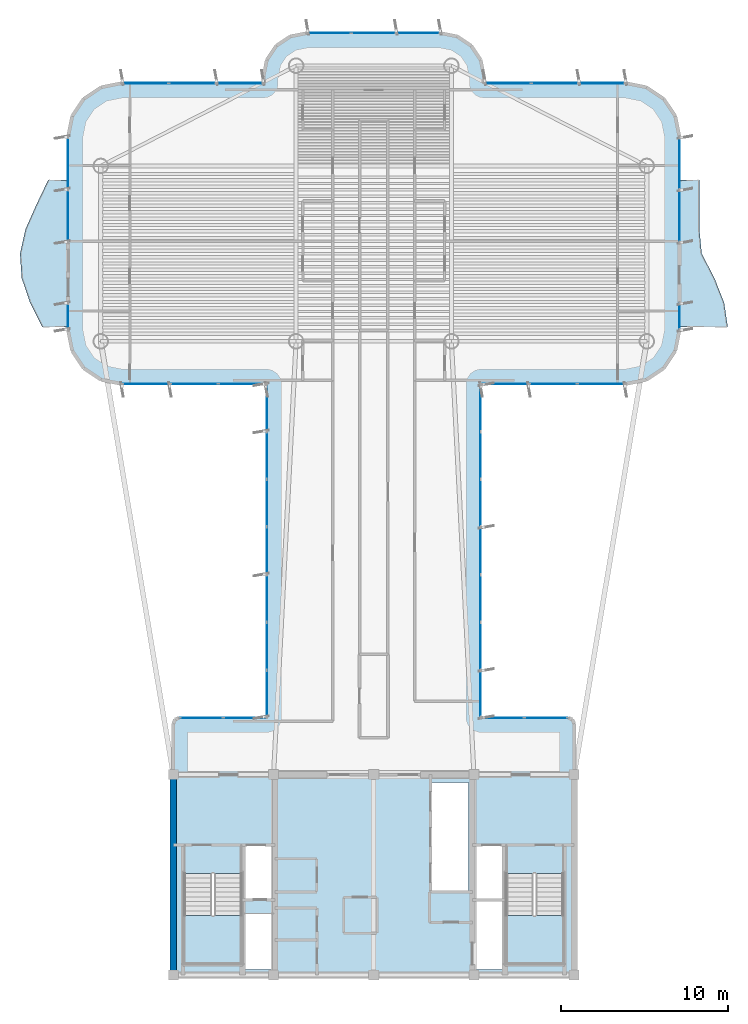
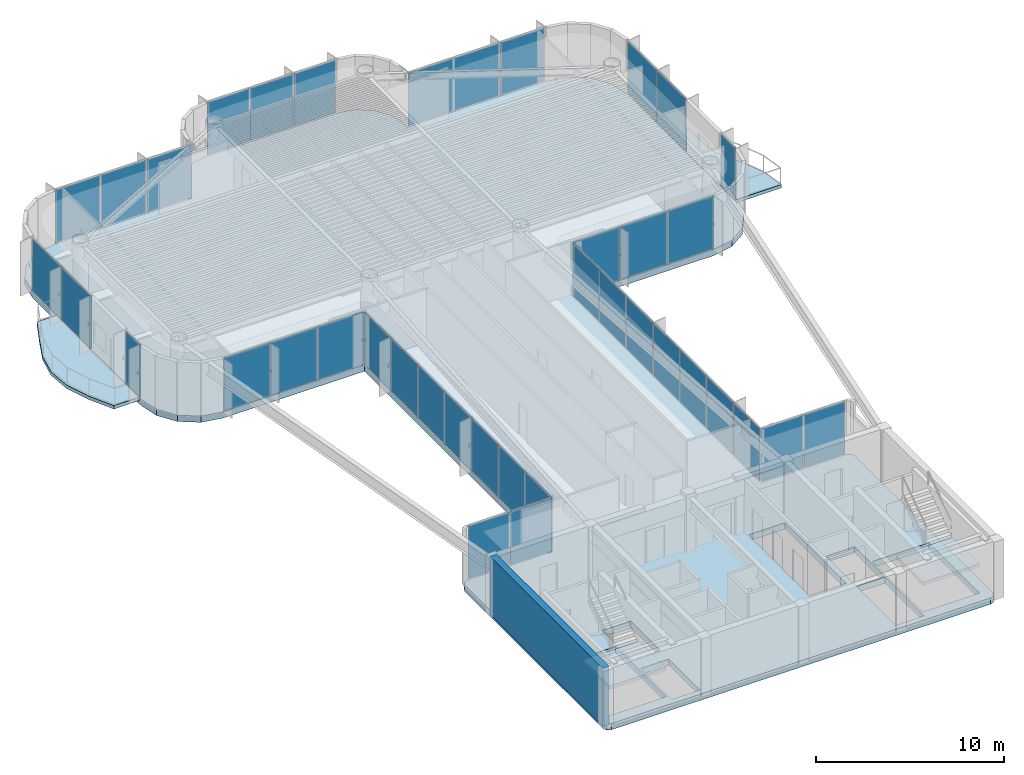
# One storey, part 9 of 16: 39 plates, 5 slabs, 1 wall, 15 elements without a shape of their own.
"""IFC4 building model written with IfcOpenShell, lengths in metres."""

from ifc_helpers import new_model, si_unit, direction, frame, frame_2d, origin, origin_2d, place, context, subcontext, project, spatial, polyline, rectangle, outline, extrude, source, transform, mapped, material, layer, layer_set, type_object, element, aggregate, save


model = new_model("IFC4")

# Units and contexts
model_context = context("Model", 3, precision=1e-05, world=origin(), true_north=direction((0.0, 1.0)))
body_context = subcontext(model_context, "Body", "Model", "MODEL_VIEW")
ifc_project = project(units=[si_unit("LENGTHUNIT", "METRE"), si_unit("AREAUNIT", "SQUARE_METRE"), si_unit("VOLUMEUNIT", "CUBIC_METRE"), si_unit("PLANEANGLEUNIT", "RADIAN"), si_unit("MASSUNIT", "GRAM", prefix="KILO")], contexts=[model_context])

# Site, building, storey
site_placement = place(None, origin())
site = spatial("IfcSite", under=ifc_project, at=site_placement, CompositionType="ELEMENT")
building_placement = place(site_placement, origin())
building = spatial("IfcBuilding", under=site, at=building_placement, Name="Brelvock Crest Care Tower", CompositionType="ELEMENT")
storey_placement = place(building_placement, frame((0.0, 0.0, 223.02001953125)))
storey = spatial("IfcBuildingStorey", under=building, at=storey_placement, Name="L56", CompositionType="ELEMENT", Elevation=223.02001953125)

# Slabs
ifc_material_1 = material(Name="Concrete N50 (50 MPa)", Category="concrete")
ifc_layer_1 = layer(ifc_material_1, 0.407958984375, Name="SLB-FL5")
ifc_layer_set_1 = layer_set([ifc_layer_1], Name="Concrete N50 (50 MPa)")
slab_type_1 = type_object("IfcSlabType", Name="SLB-FL5", PredefinedType="FLOOR", material=ifc_layer_set_1)
slab_1_placement = place(storey_placement, frame((0.0, 0.0, -0.407958984375)))
element("IfcSlab", 1, at=slab_1_placement, inside=storey, type_object=slab_type_1, Name="L56 Main Structural Slab", PredefinedType="FLOOR", context=body_context, shape_type="SweptSolid", body=[
    extrude(outline(polyline([(47.64990234375, 21.39990234375), (42.39990234375, 21.39990234375), (42.39990234375, 41.39990234375), (51.10009765625, 41.39990234375), (52.32470703125, 41.6435546875), (53.36279296875, 42.33740234375), (54.056396484375, 43.37548828125), (54.300048828125, 44.60009765625), (54.300048828125, 56.199951171875), (54.056396484375, 57.424560546875), (53.36279296875, 58.462646484375), (52.32470703125, 59.156494140625), (51.10009765625, 59.39990234375), (42.60009765625, 59.39990234375), (42.60009765625, 59.800048828125), (42.402099609375, 60.794921875), (41.83837890625, 61.638427734375), (40.9951171875, 62.2021484375), (40.0, 62.39990234375), (32.0, 62.39990234375), (31.0048828125, 62.2021484375), (30.16162109375, 61.638427734375), (29.597900390625, 60.794921875), (29.39990234375, 59.800048828125), (29.39990234375, 59.39990234375), (20.89990234375, 59.39990234375), (19.67529296875, 59.156494140625), (18.63720703125, 58.462646484375), (17.943603515625, 57.424560546875), (17.699951171875, 56.199951171875), (17.699951171875, 44.60009765625), (17.943603515625, 43.37548828125), (18.63720703125, 42.33740234375), (19.67529296875, 41.6435546875), (20.89990234375, 41.39990234375), (29.60009765625, 41.39990234375), (29.60009765625, 21.39990234375), (24.35009765625, 21.39990234375), (24.1025390625, 21.297607421875), (24.0, 21.050048828125), (24.0, 6.35009765625), (24.1025390625, 6.1025390625), (24.35009765625, 6.0), (47.64990234375, 6.0), (47.8974609375, 6.1025390625), (48.0, 6.35009765625), (48.0, 21.050048828125), (47.8974609375, 21.297607421875), (47.64990234375, 21.39990234375)]), holes=[polyline([(28.239990234375, 10.580078125), (29.97998046875, 10.580078125), (29.97998046875, 13.739990234375), (28.239990234375, 13.739990234375), (28.239990234375, 10.580078125)]), polyline([(42.02001953125, 10.580078125), (43.760009765625, 10.580078125), (43.760009765625, 13.739990234375), (42.02001953125, 13.739990234375), (42.02001953125, 10.580078125)]), polyline([(28.239990234375, 6.340087890625), (29.97998046875, 6.340087890625), (29.97998046875, 9.64990234375), (28.239990234375, 9.64990234375), (28.239990234375, 6.340087890625)]), polyline([(24.6298828125, 12.080078125), (24.6298828125, 6.699951171875), (28.110107421875, 6.699951171875), (28.110107421875, 12.080078125), (24.6298828125, 12.080078125)]), polyline([(43.889892578125, 12.080078125), (43.889892578125, 6.699951171875), (47.3701171875, 6.699951171875), (47.3701171875, 12.080078125), (43.889892578125, 12.080078125)]), polyline([(42.02001953125, 6.340087890625), (43.760009765625, 6.340087890625), (43.760009765625, 10.5), (42.02001953125, 10.5), (42.02001953125, 6.340087890625)]), polyline([(39.429931640625, 11.030029296875), (41.669921875, 11.030029296875), (41.669921875, 17.52001953125), (39.429931640625, 17.52001953125), (39.429931640625, 11.030029296875)])]), origin(), (0.0, 0.0, 1.0), 0.407958984375),
])
ifc_layer_2 = layer(ifc_material_1, 0.219970703125, Name="SLB-WB1")
ifc_layer_set_2 = layer_set([ifc_layer_2], Name="Concrete N50 (50 MPa)")
slab_type_2 = type_object("IfcSlabType", Name="SLB-WB1", PredefinedType="FLOOR", material=ifc_layer_set_2)
slab_2_placement = place(storey_placement, frame((0.0, 0.0, -0.219970703125)))
element("IfcSlab", 2, at=slab_2_placement, inside=storey, type_object=slab_type_2, Name="L56 W Sinusoidal Wave Balcony Slab", PredefinedType="FLOOR", context=body_context, shape_type="SweptSolid", body=[
    extrude(outline(polyline([(17.699951171875, 53.60009765625), (16.5, 53.60009765625), (15.800537109375, 52.13330078125), (15.146728515625, 50.666748046875), (14.816650390625, 49.199951171875), (14.916748046875, 47.7333984375), (15.414794921875, 46.2666015625), (16.14990234375, 44.800048828125), (17.699951171875, 44.800048828125), (17.699951171875, 53.60009765625)])), origin(), (0.0, 0.0, 1.0), 0.219970703125),
])
slab_3_placement = place(storey_placement, frame((0.0, 0.0, -0.219970703125)))
element("IfcSlab", 3, at=slab_3_placement, inside=storey, type_object=slab_type_2, Name="L56 E Sinusoidal Wave Balcony Slab", PredefinedType="FLOOR", context=body_context, shape_type="SweptSolid", body=[
    extrude(outline(polyline([(54.300048828125, 44.800048828125), (57.199951171875, 44.800048828125), (56.982177734375, 46.2666015625), (56.399169921875, 47.7333984375), (55.638916015625, 49.199951171875), (55.5, 50.666748046875), (55.5, 52.13330078125), (55.5, 53.60009765625), (54.300048828125, 53.60009765625), (54.300048828125, 44.800048828125)])), origin(), (0.0, 0.0, 1.0), 0.219970703125),
])

# Stair, slab
ifc_material_2 = material(Name="Concrete N40 (40 MPa)", Category="concrete")
stair_type = type_object("IfcStairType", Name="ST-CORE1", PredefinedType="HALF_TURN_STAIR", material=ifc_material_2)
stair_1_placement = place(storey_placement, origin())
stair_1 = element("IfcStair", 4, at=stair_1_placement, inside=storey, type_object=stair_type, Name="L56 Fire-Isolated Core Stair ST-1", PredefinedType="HALF_TURN_STAIR")
ifc_layer_3 = layer(ifc_material_2, 0.199951171875, Name="STL-1")
ifc_layer_set_3 = layer_set([ifc_layer_3], Name="Concrete N40 (40 MPa)")
slab_type_3 = type_object("IfcSlabType", Name="STL-1", PredefinedType="LANDING", material=ifc_layer_set_3)
slab_4_placement = place(storey_placement, frame((0.0, 0.0, 1.68994140625)))
slab_4 = element("IfcSlab", 5, at=slab_4_placement, type_object=slab_type_3, Name="ST-1 landing 1", PredefinedType="LANDING", context=body_context, shape_type="SweptSolid", body=[
    extrude(outline(polyline([(24.6298828125, 9.56005859375), (24.6298828125, 6.699951171875), (28.110107421875, 6.699951171875), (28.110107421875, 9.56005859375), (24.6298828125, 9.56005859375)])), origin(), (0.0, 0.0, 1.0), 0.199951171875),
])
aggregate(stair_1, [slab_4])

stair_2_placement = place(storey_placement, origin())
stair_2 = element("IfcStair", 6, at=stair_2_placement, inside=storey, type_object=stair_type, Name="L56 Fire-Isolated Core Stair ST-2", PredefinedType="HALF_TURN_STAIR")
slab_5_placement = place(storey_placement, frame((0.0, 0.0, 1.68994140625)))
slab_5 = element("IfcSlab", 7, at=slab_5_placement, type_object=slab_type_3, Name="ST-2 landing 1", PredefinedType="LANDING", context=body_context, shape_type="SweptSolid", body=[
    extrude(outline(polyline([(43.889892578125, 9.56005859375), (43.889892578125, 6.699951171875), (47.3701171875, 6.699951171875), (47.3701171875, 9.56005859375), (43.889892578125, 9.56005859375)])), origin(), (0.0, 0.0, 1.0), 0.199951171875),
])
aggregate(stair_2, [slab_5])

# Curtain wall, plates
ifc_material_3 = material(Name="Dark Glass Double Glazed Low-E", Category="glass")
ifc_layer_4 = layer(ifc_material_3, 0.239990234375, Name="CWS-5")
ifc_layer_set_4 = layer_set([ifc_layer_4], Name="Dark Glass Double Glazed Low-E")
curtain_wall_type = type_object("IfcCurtainWallType", Name="CWS-5", PredefinedType="NOTDEFINED", material=ifc_layer_set_4)
curtain_wall_1_placement = place(storey_placement, origin())
curtain_wall_1 = element("IfcCurtainWall", 8, at=curtain_wall_1_placement, inside=storey, type_object=curtain_wall_type, Name="L56 Curtain Wall E10", PredefinedType="NOTDEFINED")
ifc_layer_5 = layer(ifc_material_3, 0.0380859375, Name="CWP-V2")
ifc_layer_set_5 = layer_set([ifc_layer_5], Name="Dark Glass Double Glazed Low-E")
plate_type = type_object("IfcPlateType", Name="CWP-V2", PredefinedType="CURTAIN_PANEL", material=ifc_layer_set_5)
shared_shape_1 = source(origin(), body_context, "Body", "SweptSolid", [
    extrude(rectangle(XDim=2.534912109375, YDim=0.035888671875, at=origin_2d()), origin(), (0.0, 0.0, 1.0), 3.409912109375),
])
plate_1_placement = place(storey_placement, frame((25.677490234375, 21.39990234375, 0.06005859375), z_axis=(0.0, 0.0, 1.0), x_axis=(1.0, 0.0, 0.0)))
plate_1 = element("IfcPlate", 9, at=plate_1_placement, type_object=plate_type, Name="CW-5 panel 1.1", PredefinedType="CURTAIN_PANEL", context=body_context, shape_type="MappedRepresentation", body=[
    mapped(shared_shape_1, transform((0.0, 0.0, 0.0), x_axis=(1.0, 0.0, 0.0), y_axis=(0.0, 1.0, 0.0), z_axis=(0.0, 0.0, 1.0), scale=1.0)),
])
plate_2_placement = place(storey_placement, frame((28.2724609375, 21.39990234375, 0.06005859375), z_axis=(0.0, 0.0, 1.0), x_axis=(1.0, 0.0, 0.0)))
plate_2 = element("IfcPlate", 10, at=plate_2_placement, type_object=plate_type, Name="CW-5 panel 2.1", PredefinedType="CURTAIN_PANEL", context=body_context, shape_type="MappedRepresentation", body=[
    mapped(shared_shape_1, transform((0.0, 0.0, 0.0), x_axis=(1.0, 0.0, 0.0), y_axis=(0.0, 1.0, 0.0), z_axis=(0.0, 0.0, 1.0), scale=1.0)),
])
aggregate(curtain_wall_1, [plate_1, plate_2])

curtain_wall_2_placement = place(storey_placement, origin())
curtain_wall_2 = element("IfcCurtainWall", 11, at=curtain_wall_2_placement, inside=storey, type_object=curtain_wall_type, Name="L56 Curtain Wall E46", PredefinedType="NOTDEFINED")
plate_3_placement = place(storey_placement, frame((43.7275390625, 21.39990234375, 0.06005859375), z_axis=(0.0, 0.0, 1.0), x_axis=(1.0, 0.0, 0.0)))
plate_3 = element("IfcPlate", 12, at=plate_3_placement, type_object=plate_type, Name="CW-5 panel 1.1", PredefinedType="CURTAIN_PANEL", context=body_context, shape_type="MappedRepresentation", body=[
    mapped(shared_shape_1, transform((0.0, 0.0, 0.0), x_axis=(1.0, 0.0, 0.0), y_axis=(0.0, 1.0, 0.0), z_axis=(0.0, 0.0, 1.0), scale=1.0)),
])
plate_4_placement = place(storey_placement, frame((46.322509765625, 21.39990234375, 0.06005859375), z_axis=(0.0, 0.0, 1.0), x_axis=(1.0, 0.0, 0.0)))
plate_4 = element("IfcPlate", 13, at=plate_4_placement, type_object=plate_type, Name="CW-5 panel 2.1", PredefinedType="CURTAIN_PANEL", context=body_context, shape_type="MappedRepresentation", body=[
    mapped(shared_shape_1, transform((0.0, 0.0, 0.0), x_axis=(1.0, 0.0, 0.0), y_axis=(0.0, 1.0, 0.0), z_axis=(0.0, 0.0, 1.0), scale=1.0)),
])
aggregate(curtain_wall_2, [plate_3, plate_4])

# Curtain wall, plate
curtain_wall_3_placement = place(storey_placement, origin())
curtain_wall_3 = element("IfcCurtainWall", 14, at=curtain_wall_3_placement, inside=storey, type_object=curtain_wall_type, Name="L56 Curtain Wall E17A", PredefinedType="NOTDEFINED")
shared_shape_2 = source(origin(), body_context, "Body", "SweptSolid", [
    extrude(rectangle(XDim=1.530029296875, YDim=0.035888671875, at=origin_2d()), origin(), (0.0, 0.0, 1.0), 3.409912109375),
])
plate_5_placement = place(storey_placement, frame((17.699951171875, 45.425048828125, 0.06005859375), z_axis=(0.0, 0.0, 1.0), x_axis=(0.0, 1.0, 0.0)))
plate_5 = element("IfcPlate", 15, at=plate_5_placement, type_object=plate_type, Name="CW-5 panel 1.1", PredefinedType="CURTAIN_PANEL", context=body_context, shape_type="MappedRepresentation", body=[
    mapped(shared_shape_2, transform((0.0, 0.0, 0.0), x_axis=(1.0, 0.0, 0.0), y_axis=(0.0, 1.0, 0.0), z_axis=(0.0, 0.0, 1.0), scale=1.0)),
])
aggregate(curtain_wall_3, [plate_5])

curtain_wall_4_placement = place(storey_placement, origin())
curtain_wall_4 = element("IfcCurtainWall", 16, at=curtain_wall_4_placement, inside=storey, type_object=curtain_wall_type, Name="L56 Curtain Wall E39B", PredefinedType="NOTDEFINED")
plate_6_placement = place(storey_placement, frame((54.300048828125, 45.425048828125, 0.06005859375), z_axis=(0.0, 0.0, 1.0), x_axis=(0.0, -1.0, 0.0)))
plate_6 = element("IfcPlate", 17, at=plate_6_placement, type_object=plate_type, Name="CW-5 panel 1.1", PredefinedType="CURTAIN_PANEL", context=body_context, shape_type="MappedRepresentation", body=[
    mapped(shared_shape_2, transform((0.0, 0.0, 0.0), x_axis=(1.0, 0.0, 0.0), y_axis=(0.0, 1.0, 0.0), z_axis=(0.0, 0.0, 1.0), scale=1.0)),
])
aggregate(curtain_wall_4, [plate_6])

# Curtain wall, plates
curtain_wall_5_placement = place(storey_placement, origin())
curtain_wall_5 = element("IfcCurtainWall", 18, at=curtain_wall_5_placement, inside=storey, type_object=curtain_wall_type, Name="L56 Curtain Wall E11", PredefinedType="NOTDEFINED")
shared_shape_3 = source(origin(), body_context, "Body", "SweptSolid", [
    extrude(rectangle(XDim=2.76708984375, YDim=0.035888671875, at=origin_2d()), origin(), (0.0, 0.0, 1.0), 3.409912109375),
])
plate_7_placement = place(storey_placement, frame((29.60009765625, 22.843505859375, 0.06005859375), z_axis=(0.0, 0.0, 1.0), x_axis=(0.0, 1.0, 0.0)))
plate_7 = element("IfcPlate", 19, at=plate_7_placement, type_object=plate_type, Name="CW-5 panel 1.1", PredefinedType="CURTAIN_PANEL", context=body_context, shape_type="MappedRepresentation", body=[
    mapped(shared_shape_3, transform((0.0, 0.0, 0.0), x_axis=(1.0, 0.0, 0.0), y_axis=(0.0, 1.0, 0.0), z_axis=(0.0, 0.0, 1.0), scale=1.0)),
])
plate_8_placement = place(storey_placement, frame((29.60009765625, 39.95654296875, 0.06005859375), z_axis=(0.0, 0.0, 1.0), x_axis=(0.0, 1.0, 0.0)))
plate_8 = element("IfcPlate", 20, at=plate_8_placement, type_object=plate_type, Name="CW-5 panel 7.1", PredefinedType="CURTAIN_PANEL", context=body_context, shape_type="MappedRepresentation", body=[
    mapped(shared_shape_3, transform((0.0, 0.0, 0.0), x_axis=(1.0, 0.0, 0.0), y_axis=(0.0, 1.0, 0.0), z_axis=(0.0, 0.0, 1.0), scale=1.0)),
])

curtain_wall_6_placement = place(storey_placement, origin())
curtain_wall_6 = element("IfcCurtainWall", 21, at=curtain_wall_6_placement, inside=storey, type_object=curtain_wall_type, Name="L56 Curtain Wall E45", PredefinedType="NOTDEFINED")
plate_9_placement = place(storey_placement, frame((42.39990234375, 39.95654296875, 0.06005859375), z_axis=(0.0, 0.0, 1.0), x_axis=(0.0, -1.0, 0.0)))
plate_9 = element("IfcPlate", 22, at=plate_9_placement, type_object=plate_type, Name="CW-5 panel 1.1", PredefinedType="CURTAIN_PANEL", context=body_context, shape_type="MappedRepresentation", body=[
    mapped(shared_shape_3, transform((0.0, 0.0, 0.0), x_axis=(1.0, 0.0, 0.0), y_axis=(0.0, 1.0, 0.0), z_axis=(0.0, 0.0, 1.0), scale=1.0)),
])
plate_10_placement = place(storey_placement, frame((42.39990234375, 22.843505859375, 0.06005859375), z_axis=(0.0, 0.0, 1.0), x_axis=(0.0, -1.0, 0.0)))
plate_10 = element("IfcPlate", 23, at=plate_10_placement, type_object=plate_type, Name="CW-5 panel 7.1", PredefinedType="CURTAIN_PANEL", context=body_context, shape_type="MappedRepresentation", body=[
    mapped(shared_shape_3, transform((0.0, 0.0, 0.0), x_axis=(1.0, 0.0, 0.0), y_axis=(0.0, 1.0, 0.0), z_axis=(0.0, 0.0, 1.0), scale=1.0)),
])

# Plate
shared_shape_4 = source(origin(), body_context, "Body", "SweptSolid", [
    extrude(rectangle(XDim=2.797119140625, YDim=0.035888671875, at=origin_2d()), origin(), (0.0, 0.0, 1.0), 3.409912109375),
])
plate_11_placement = place(storey_placement, frame((29.60009765625, 25.685791015625, 0.06005859375), z_axis=(0.0, 0.0, 1.0), x_axis=(0.0, 1.0, 0.0)))
plate_11 = element("IfcPlate", 24, at=plate_11_placement, type_object=plate_type, Name="CW-5 panel 2.1", PredefinedType="CURTAIN_PANEL", context=body_context, shape_type="MappedRepresentation", body=[
    mapped(shared_shape_4, transform((0.0, 0.0, 0.0), x_axis=(1.0, 0.0, 0.0), y_axis=(0.0, 1.0, 0.0), z_axis=(0.0, 0.0, 1.0), scale=1.0)),
])

plate_12_placement = place(storey_placement, frame((29.60009765625, 28.54296875, 0.06005859375), z_axis=(0.0, 0.0, 1.0), x_axis=(0.0, 1.0, 0.0)))
plate_12 = element("IfcPlate", 25, at=plate_12_placement, type_object=plate_type, Name="CW-5 panel 3.1", PredefinedType="CURTAIN_PANEL", context=body_context, shape_type="MappedRepresentation", body=[
    mapped(shared_shape_4, transform((0.0, 0.0, 0.0), x_axis=(1.0, 0.0, 0.0), y_axis=(0.0, 1.0, 0.0), z_axis=(0.0, 0.0, 1.0), scale=1.0)),
])

plate_13_placement = place(storey_placement, frame((29.60009765625, 31.39990234375, 0.06005859375), z_axis=(0.0, 0.0, 1.0), x_axis=(0.0, 1.0, 0.0)))
plate_13 = element("IfcPlate", 26, at=plate_13_placement, type_object=plate_type, Name="CW-5 panel 4.1", PredefinedType="CURTAIN_PANEL", context=body_context, shape_type="MappedRepresentation", body=[
    mapped(shared_shape_4, transform((0.0, 0.0, 0.0), x_axis=(1.0, 0.0, 0.0), y_axis=(0.0, 1.0, 0.0), z_axis=(0.0, 0.0, 1.0), scale=1.0)),
])

plate_14_placement = place(storey_placement, frame((29.60009765625, 34.257080078125, 0.06005859375), z_axis=(0.0, 0.0, 1.0), x_axis=(0.0, 1.0, 0.0)))
plate_14 = element("IfcPlate", 27, at=plate_14_placement, type_object=plate_type, Name="CW-5 panel 5.1", PredefinedType="CURTAIN_PANEL", context=body_context, shape_type="MappedRepresentation", body=[
    mapped(shared_shape_4, transform((0.0, 0.0, 0.0), x_axis=(1.0, 0.0, 0.0), y_axis=(0.0, 1.0, 0.0), z_axis=(0.0, 0.0, 1.0), scale=1.0)),
])

plate_15_placement = place(storey_placement, frame((29.60009765625, 37.1142578125, 0.06005859375), z_axis=(0.0, 0.0, 1.0), x_axis=(0.0, 1.0, 0.0)))
plate_15 = element("IfcPlate", 28, at=plate_15_placement, type_object=plate_type, Name="CW-5 panel 6.1", PredefinedType="CURTAIN_PANEL", context=body_context, shape_type="MappedRepresentation", body=[
    mapped(shared_shape_4, transform((0.0, 0.0, 0.0), x_axis=(1.0, 0.0, 0.0), y_axis=(0.0, 1.0, 0.0), z_axis=(0.0, 0.0, 1.0), scale=1.0)),
])

aggregate(curtain_wall_5, [plate_7, plate_11, plate_12, plate_13, plate_14, plate_15, plate_8])

plate_16_placement = place(storey_placement, frame((42.39990234375, 37.1142578125, 0.06005859375), z_axis=(0.0, 0.0, 1.0), x_axis=(0.0, -1.0, 0.0)))
plate_16 = element("IfcPlate", 29, at=plate_16_placement, type_object=plate_type, Name="CW-5 panel 2.1", PredefinedType="CURTAIN_PANEL", context=body_context, shape_type="MappedRepresentation", body=[
    mapped(shared_shape_4, transform((0.0, 0.0, 0.0), x_axis=(1.0, 0.0, 0.0), y_axis=(0.0, 1.0, 0.0), z_axis=(0.0, 0.0, 1.0), scale=1.0)),
])

plate_17_placement = place(storey_placement, frame((42.39990234375, 34.257080078125, 0.06005859375), z_axis=(0.0, 0.0, 1.0), x_axis=(0.0, -1.0, 0.0)))
plate_17 = element("IfcPlate", 30, at=plate_17_placement, type_object=plate_type, Name="CW-5 panel 3.1", PredefinedType="CURTAIN_PANEL", context=body_context, shape_type="MappedRepresentation", body=[
    mapped(shared_shape_4, transform((0.0, 0.0, 0.0), x_axis=(1.0, 0.0, 0.0), y_axis=(0.0, 1.0, 0.0), z_axis=(0.0, 0.0, 1.0), scale=1.0)),
])

plate_18_placement = place(storey_placement, frame((42.39990234375, 31.39990234375, 0.06005859375), z_axis=(0.0, 0.0, 1.0), x_axis=(0.0, -1.0, 0.0)))
plate_18 = element("IfcPlate", 31, at=plate_18_placement, type_object=plate_type, Name="CW-5 panel 4.1", PredefinedType="CURTAIN_PANEL", context=body_context, shape_type="MappedRepresentation", body=[
    mapped(shared_shape_4, transform((0.0, 0.0, 0.0), x_axis=(1.0, 0.0, 0.0), y_axis=(0.0, 1.0, 0.0), z_axis=(0.0, 0.0, 1.0), scale=1.0)),
])

plate_19_placement = place(storey_placement, frame((42.39990234375, 28.54296875, 0.06005859375), z_axis=(0.0, 0.0, 1.0), x_axis=(0.0, -1.0, 0.0)))
plate_19 = element("IfcPlate", 32, at=plate_19_placement, type_object=plate_type, Name="CW-5 panel 5.1", PredefinedType="CURTAIN_PANEL", context=body_context, shape_type="MappedRepresentation", body=[
    mapped(shared_shape_4, transform((0.0, 0.0, 0.0), x_axis=(1.0, 0.0, 0.0), y_axis=(0.0, 1.0, 0.0), z_axis=(0.0, 0.0, 1.0), scale=1.0)),
])

plate_20_placement = place(storey_placement, frame((42.39990234375, 25.685791015625, 0.06005859375), z_axis=(0.0, 0.0, 1.0), x_axis=(0.0, -1.0, 0.0)))
plate_20 = element("IfcPlate", 33, at=plate_20_placement, type_object=plate_type, Name="CW-5 panel 6.1", PredefinedType="CURTAIN_PANEL", context=body_context, shape_type="MappedRepresentation", body=[
    mapped(shared_shape_4, transform((0.0, 0.0, 0.0), x_axis=(1.0, 0.0, 0.0), y_axis=(0.0, 1.0, 0.0), z_axis=(0.0, 0.0, 1.0), scale=1.0)),
])

aggregate(curtain_wall_6, [plate_9, plate_16, plate_17, plate_18, plate_19, plate_20, plate_10])

# Curtain wall, plates
curtain_wall_7_placement = place(storey_placement, origin())
curtain_wall_7 = element("IfcCurtainWall", 34, at=curtain_wall_7_placement, inside=storey, type_object=curtain_wall_type, Name="L56 Curtain Wall E12", PredefinedType="NOTDEFINED")
shared_shape_5 = source(origin(), body_context, "Body", "SweptSolid", [
    extrude(rectangle(XDim=2.81005859375, YDim=0.035888671875, at=origin_2d()), origin(), (0.0, 0.0, 1.0), 3.409912109375),
])
plate_21_placement = place(storey_placement, frame((28.135009765625, 41.39990234375, 0.06005859375), z_axis=(0.0, 0.0, 1.0), x_axis=(-1.0, 0.0, 0.0)))
plate_21 = element("IfcPlate", 35, at=plate_21_placement, type_object=plate_type, Name="CW-5 panel 1.1", PredefinedType="CURTAIN_PANEL", context=body_context, shape_type="MappedRepresentation", body=[
    mapped(shared_shape_5, transform((0.0, 0.0, 0.0), x_axis=(1.0, 0.0, 0.0), y_axis=(0.0, 1.0, 0.0), z_axis=(0.0, 0.0, 1.0), scale=1.0)),
])
plate_22_placement = place(storey_placement, frame((22.364990234375, 41.39990234375, 0.06005859375), z_axis=(0.0, 0.0, 1.0), x_axis=(-1.0, 0.0, 0.0)))
plate_22 = element("IfcPlate", 36, at=plate_22_placement, type_object=plate_type, Name="CW-5 panel 3.1", PredefinedType="CURTAIN_PANEL", context=body_context, shape_type="MappedRepresentation", body=[
    mapped(shared_shape_5, transform((0.0, 0.0, 0.0), x_axis=(1.0, 0.0, 0.0), y_axis=(0.0, 1.0, 0.0), z_axis=(0.0, 0.0, 1.0), scale=1.0)),
])

curtain_wall_8_placement = place(storey_placement, origin())
curtain_wall_8 = element("IfcCurtainWall", 37, at=curtain_wall_8_placement, inside=storey, type_object=curtain_wall_type, Name="L56 Curtain Wall E44", PredefinedType="NOTDEFINED")
plate_23_placement = place(storey_placement, frame((49.635009765625, 41.39990234375, 0.06005859375), z_axis=(0.0, 0.0, 1.0), x_axis=(-1.0, 0.0, 0.0)))
plate_23 = element("IfcPlate", 38, at=plate_23_placement, type_object=plate_type, Name="CW-5 panel 1.1", PredefinedType="CURTAIN_PANEL", context=body_context, shape_type="MappedRepresentation", body=[
    mapped(shared_shape_5, transform((0.0, 0.0, 0.0), x_axis=(1.0, 0.0, 0.0), y_axis=(0.0, 1.0, 0.0), z_axis=(0.0, 0.0, 1.0), scale=1.0)),
])
plate_24_placement = place(storey_placement, frame((43.864990234375, 41.39990234375, 0.06005859375), z_axis=(0.0, 0.0, 1.0), x_axis=(-1.0, 0.0, 0.0)))
plate_24 = element("IfcPlate", 39, at=plate_24_placement, type_object=plate_type, Name="CW-5 panel 3.1", PredefinedType="CURTAIN_PANEL", context=body_context, shape_type="MappedRepresentation", body=[
    mapped(shared_shape_5, transform((0.0, 0.0, 0.0), x_axis=(1.0, 0.0, 0.0), y_axis=(0.0, 1.0, 0.0), z_axis=(0.0, 0.0, 1.0), scale=1.0)),
])

# Plate
shared_shape_6 = source(origin(), body_context, "Body", "SweptSolid", [
    extrude(rectangle(XDim=2.840087890625, YDim=0.035888671875, at=origin_2d()), origin(), (0.0, 0.0, 1.0), 3.409912109375),
])
plate_25_placement = place(storey_placement, frame((25.25, 41.39990234375, 0.06005859375), z_axis=(0.0, 0.0, 1.0), x_axis=(-1.0, 0.0, 0.0)))
plate_25 = element("IfcPlate", 40, at=plate_25_placement, type_object=plate_type, Name="CW-5 panel 2.1", PredefinedType="CURTAIN_PANEL", context=body_context, shape_type="MappedRepresentation", body=[
    mapped(shared_shape_6, transform((0.0, 0.0, 0.0), x_axis=(1.0, 0.0, 0.0), y_axis=(0.0, 1.0, 0.0), z_axis=(0.0, 0.0, 1.0), scale=1.0)),
])

aggregate(curtain_wall_7, [plate_21, plate_25, plate_22])

plate_26_placement = place(storey_placement, frame((46.75, 41.39990234375, 0.06005859375), z_axis=(0.0, 0.0, 1.0), x_axis=(-1.0, 0.0, 0.0)))
plate_26 = element("IfcPlate", 41, at=plate_26_placement, type_object=plate_type, Name="CW-5 panel 2.1", PredefinedType="CURTAIN_PANEL", context=body_context, shape_type="MappedRepresentation", body=[
    mapped(shared_shape_6, transform((0.0, 0.0, 0.0), x_axis=(1.0, 0.0, 0.0), y_axis=(0.0, 1.0, 0.0), z_axis=(0.0, 0.0, 1.0), scale=1.0)),
])

aggregate(curtain_wall_8, [plate_23, plate_26, plate_24])

# Curtain wall, plates
curtain_wall_9_placement = place(storey_placement, origin())
curtain_wall_9 = element("IfcCurtainWall", 42, at=curtain_wall_9_placement, inside=storey, type_object=curtain_wall_type, Name="L56 Curtain Wall E17B", PredefinedType="NOTDEFINED")
shared_shape_7 = source(origin(), body_context, "Body", "SweptSolid", [
    extrude(rectangle(XDim=3.0849609375, YDim=0.035888671875, at=origin_2d()), origin(), (0.0, 0.0, 1.0), 3.409912109375),
])
plate_27_placement = place(storey_placement, frame((17.699951171875, 51.452392578125, 0.06005859375), z_axis=(0.0, 0.0, 1.0), x_axis=(0.0, 1.0, 0.0)))
plate_27 = element("IfcPlate", 43, at=plate_27_placement, type_object=plate_type, Name="CW-5 panel 1.1", PredefinedType="CURTAIN_PANEL", context=body_context, shape_type="MappedRepresentation", body=[
    mapped(shared_shape_7, transform((0.0, 0.0, 0.0), x_axis=(1.0, 0.0, 0.0), y_axis=(0.0, 1.0, 0.0), z_axis=(0.0, 0.0, 1.0), scale=1.0)),
])
plate_28_placement = place(storey_placement, frame((17.699951171875, 54.597412109375, 0.06005859375), z_axis=(0.0, 0.0, 1.0), x_axis=(0.0, 1.0, 0.0)))
plate_28 = element("IfcPlate", 44, at=plate_28_placement, type_object=plate_type, Name="CW-5 panel 2.1", PredefinedType="CURTAIN_PANEL", context=body_context, shape_type="MappedRepresentation", body=[
    mapped(shared_shape_7, transform((0.0, 0.0, 0.0), x_axis=(1.0, 0.0, 0.0), y_axis=(0.0, 1.0, 0.0), z_axis=(0.0, 0.0, 1.0), scale=1.0)),
])
aggregate(curtain_wall_9, [plate_27, plate_28])

curtain_wall_10_placement = place(storey_placement, origin())
curtain_wall_10 = element("IfcCurtainWall", 45, at=curtain_wall_10_placement, inside=storey, type_object=curtain_wall_type, Name="L56 Curtain Wall E39A", PredefinedType="NOTDEFINED")
plate_29_placement = place(storey_placement, frame((54.300048828125, 54.597412109375, 0.06005859375), z_axis=(0.0, 0.0, 1.0), x_axis=(0.0, -1.0, 0.0)))
plate_29 = element("IfcPlate", 46, at=plate_29_placement, type_object=plate_type, Name="CW-5 panel 1.1", PredefinedType="CURTAIN_PANEL", context=body_context, shape_type="MappedRepresentation", body=[
    mapped(shared_shape_7, transform((0.0, 0.0, 0.0), x_axis=(1.0, 0.0, 0.0), y_axis=(0.0, 1.0, 0.0), z_axis=(0.0, 0.0, 1.0), scale=1.0)),
])
plate_30_placement = place(storey_placement, frame((54.300048828125, 51.452392578125, 0.06005859375), z_axis=(0.0, 0.0, 1.0), x_axis=(0.0, -1.0, 0.0)))
plate_30 = element("IfcPlate", 47, at=plate_30_placement, type_object=plate_type, Name="CW-5 panel 2.1", PredefinedType="CURTAIN_PANEL", context=body_context, shape_type="MappedRepresentation", body=[
    mapped(shared_shape_7, transform((0.0, 0.0, 0.0), x_axis=(1.0, 0.0, 0.0), y_axis=(0.0, 1.0, 0.0), z_axis=(0.0, 0.0, 1.0), scale=1.0)),
])
aggregate(curtain_wall_10, [plate_29, plate_30])

curtain_wall_11_placement = place(storey_placement, origin())
curtain_wall_11 = element("IfcCurtainWall", 48, at=curtain_wall_11_placement, inside=storey, type_object=curtain_wall_type, Name="L56 Curtain Wall E22", PredefinedType="NOTDEFINED")
shared_shape_8 = source(origin(), body_context, "Body", "SweptSolid", [
    extrude(rectangle(XDim=2.743408203125, YDim=0.035888671875, at=origin_2d()), origin(), (0.0, 0.0, 1.0), 3.409912109375),
])
plate_31_placement = place(storey_placement, frame((22.331787109375, 59.39990234375, 0.06005859375), z_axis=(0.0, 0.0, 1.0), x_axis=(1.0, 0.0, 0.0)))
plate_31 = element("IfcPlate", 49, at=plate_31_placement, type_object=plate_type, Name="CW-5 panel 1.1", PredefinedType="CURTAIN_PANEL", context=body_context, shape_type="MappedRepresentation", body=[
    mapped(shared_shape_8, transform((0.0, 0.0, 0.0), x_axis=(1.0, 0.0, 0.0), y_axis=(0.0, 1.0, 0.0), z_axis=(0.0, 0.0, 1.0), scale=1.0)),
])
plate_32_placement = place(storey_placement, frame((27.96826171875, 59.39990234375, 0.06005859375), z_axis=(0.0, 0.0, 1.0), x_axis=(1.0, 0.0, 0.0)))
plate_32 = element("IfcPlate", 50, at=plate_32_placement, type_object=plate_type, Name="CW-5 panel 3.1", PredefinedType="CURTAIN_PANEL", context=body_context, shape_type="MappedRepresentation", body=[
    mapped(shared_shape_8, transform((0.0, 0.0, 0.0), x_axis=(1.0, 0.0, 0.0), y_axis=(0.0, 1.0, 0.0), z_axis=(0.0, 0.0, 1.0), scale=1.0)),
])

curtain_wall_12_placement = place(storey_placement, origin())
curtain_wall_12 = element("IfcCurtainWall", 51, at=curtain_wall_12_placement, inside=storey, type_object=curtain_wall_type, Name="L56 Curtain Wall E34", PredefinedType="NOTDEFINED")
plate_33_placement = place(storey_placement, frame((44.03173828125, 59.39990234375, 0.06005859375), z_axis=(0.0, 0.0, 1.0), x_axis=(1.0, 0.0, 0.0)))
plate_33 = element("IfcPlate", 52, at=plate_33_placement, type_object=plate_type, Name="CW-5 panel 1.1", PredefinedType="CURTAIN_PANEL", context=body_context, shape_type="MappedRepresentation", body=[
    mapped(shared_shape_8, transform((0.0, 0.0, 0.0), x_axis=(1.0, 0.0, 0.0), y_axis=(0.0, 1.0, 0.0), z_axis=(0.0, 0.0, 1.0), scale=1.0)),
])
plate_34_placement = place(storey_placement, frame((49.668212890625, 59.39990234375, 0.06005859375), z_axis=(0.0, 0.0, 1.0), x_axis=(1.0, 0.0, 0.0)))
plate_34 = element("IfcPlate", 53, at=plate_34_placement, type_object=plate_type, Name="CW-5 panel 3.1", PredefinedType="CURTAIN_PANEL", context=body_context, shape_type="MappedRepresentation", body=[
    mapped(shared_shape_8, transform((0.0, 0.0, 0.0), x_axis=(1.0, 0.0, 0.0), y_axis=(0.0, 1.0, 0.0), z_axis=(0.0, 0.0, 1.0), scale=1.0)),
])

# Plate
shared_shape_9 = source(origin(), body_context, "Body", "SweptSolid", [
    extrude(rectangle(XDim=2.7734375, YDim=0.035888671875, at=origin_2d()), origin(), (0.0, 0.0, 1.0), 3.409912109375),
])
plate_35_placement = place(storey_placement, frame((25.14990234375, 59.39990234375, 0.06005859375), z_axis=(0.0, 0.0, 1.0), x_axis=(1.0, 0.0, 0.0)))
plate_35 = element("IfcPlate", 54, at=plate_35_placement, type_object=plate_type, Name="CW-5 panel 2.1", PredefinedType="CURTAIN_PANEL", context=body_context, shape_type="MappedRepresentation", body=[
    mapped(shared_shape_9, transform((0.0, 0.0, 0.0), x_axis=(1.0, 0.0, 0.0), y_axis=(0.0, 1.0, 0.0), z_axis=(0.0, 0.0, 1.0), scale=1.0)),
])

aggregate(curtain_wall_11, [plate_31, plate_35, plate_32])

plate_36_placement = place(storey_placement, frame((46.85009765625, 59.39990234375, 0.06005859375), z_axis=(0.0, 0.0, 1.0), x_axis=(1.0, 0.0, 0.0)))
plate_36 = element("IfcPlate", 55, at=plate_36_placement, type_object=plate_type, Name="CW-5 panel 2.1", PredefinedType="CURTAIN_PANEL", context=body_context, shape_type="MappedRepresentation", body=[
    mapped(shared_shape_9, transform((0.0, 0.0, 0.0), x_axis=(1.0, 0.0, 0.0), y_axis=(0.0, 1.0, 0.0), z_axis=(0.0, 0.0, 1.0), scale=1.0)),
])

aggregate(curtain_wall_12, [plate_33, plate_36, plate_34])

# Curtain wall, plates
curtain_wall_13_placement = place(storey_placement, origin())
curtain_wall_13 = element("IfcCurtainWall", 56, at=curtain_wall_13_placement, inside=storey, type_object=curtain_wall_type, Name="L56 Curtain Wall E28", PredefinedType="NOTDEFINED")
shared_shape_10 = source(origin(), body_context, "Body", "SweptSolid", [
    extrude(rectangle(XDim=2.57666015625, YDim=0.035888671875, at=origin_2d()), origin(), (0.0, 0.0, 1.0), 3.409912109375),
])
plate_37_placement = place(storey_placement, frame((33.348388671875, 62.39990234375, 0.06005859375), z_axis=(0.0, 0.0, 1.0), x_axis=(1.0, 0.0, 0.0)))
plate_37 = element("IfcPlate", 57, at=plate_37_placement, type_object=plate_type, Name="CW-5 panel 1.1", PredefinedType="CURTAIN_PANEL", context=body_context, shape_type="MappedRepresentation", body=[
    mapped(shared_shape_10, transform((0.0, 0.0, 0.0), x_axis=(1.0, 0.0, 0.0), y_axis=(0.0, 1.0, 0.0), z_axis=(0.0, 0.0, 1.0), scale=1.0)),
])
plate_38_placement = place(storey_placement, frame((38.651611328125, 62.39990234375, 0.06005859375), z_axis=(0.0, 0.0, 1.0), x_axis=(1.0, 0.0, 0.0)))
plate_38 = element("IfcPlate", 58, at=plate_38_placement, type_object=plate_type, Name="CW-5 panel 3.1", PredefinedType="CURTAIN_PANEL", context=body_context, shape_type="MappedRepresentation", body=[
    mapped(shared_shape_10, transform((0.0, 0.0, 0.0), x_axis=(1.0, 0.0, 0.0), y_axis=(0.0, 1.0, 0.0), z_axis=(0.0, 0.0, 1.0), scale=1.0)),
])
shared_shape_11 = source(origin(), body_context, "Body", "SweptSolid", [
    extrude(rectangle(XDim=2.606689453125, YDim=0.035888671875, at=origin_2d()), origin(), (0.0, 0.0, 1.0), 3.409912109375),
])
plate_39_placement = place(storey_placement, frame((36.0, 62.39990234375, 0.06005859375), z_axis=(0.0, 0.0, 1.0), x_axis=(1.0, 0.0, 0.0)))
plate_39 = element("IfcPlate", 59, at=plate_39_placement, type_object=plate_type, Name="CW-5 panel 2.1", PredefinedType="CURTAIN_PANEL", context=body_context, shape_type="MappedRepresentation", body=[
    mapped(shared_shape_11, transform((0.0, 0.0, 0.0), x_axis=(1.0, 0.0, 0.0), y_axis=(0.0, 1.0, 0.0), z_axis=(0.0, 0.0, 1.0), scale=1.0)),
])
aggregate(curtain_wall_13, [plate_37, plate_39, plate_38])

# Wall
ifc_material_4 = material(Name="Concrete S65 (65 MPa)", Category="concrete")
ifc_layer_6 = layer(ifc_material_4, 0.39990234375, Name="WL-CS4")
ifc_layer_set_6 = layer_set([ifc_layer_6], Name="Concrete S65 (65 MPa)")
wall_type = type_object("IfcWallType", Name="WL-CS4", PredefinedType="SHEAR", material=ifc_layer_set_6)
wall_placement = place(storey_placement, frame((24.0, 6.0, 0.0), z_axis=(0.0, 0.0, 1.0), x_axis=(0.0, 1.0, 0.0)))
element("IfcWall", 60, at=wall_placement, inside=storey, type_object=wall_type, Name="L56 Core West Shear Wall", PredefinedType="SHEAR", context=body_context, shape_type="SweptSolid", body=[
    extrude(rectangle(XDim=12.0, YDim=0.39990234375, at=frame_2d((6.0, 0.0))), origin(), (0.0, 0.0, 1.0), 3.780029296875),
])

save(model, "model.ifc")
